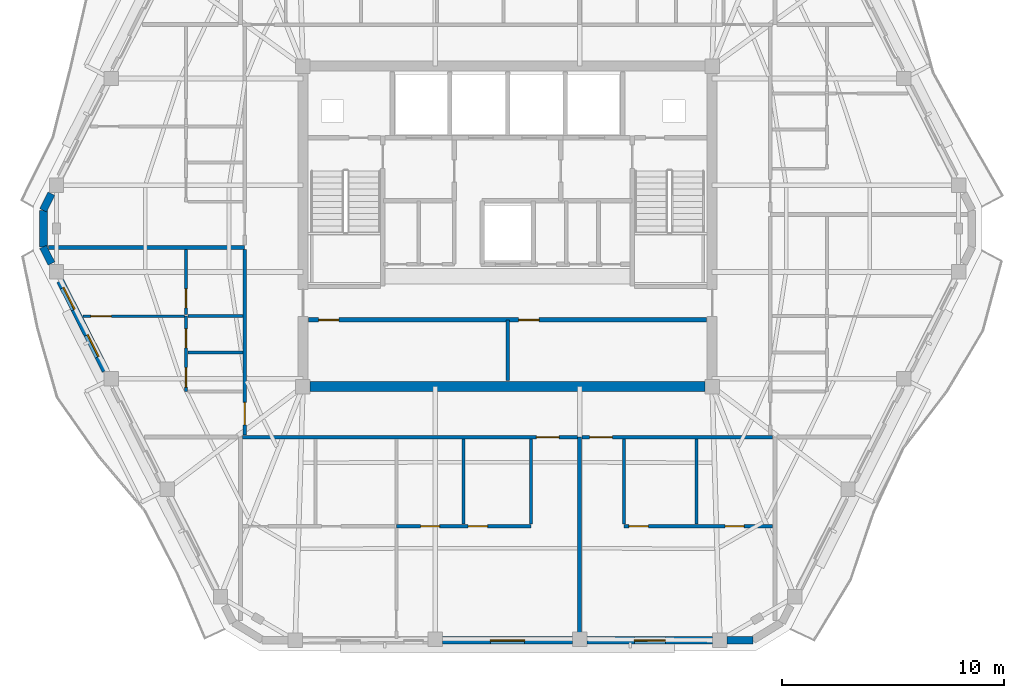
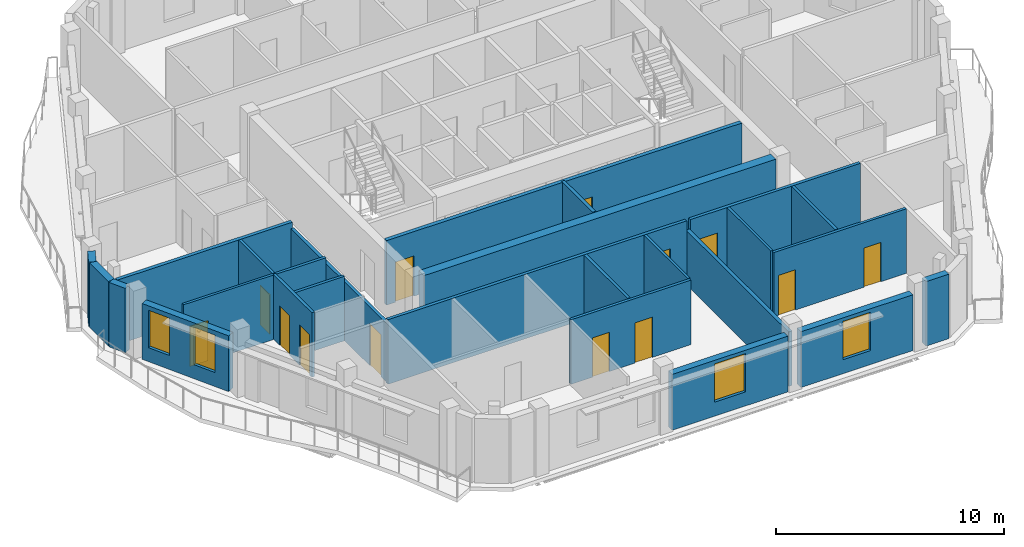
# One storey, part 4 of 11: 26 walls, 13 doors, 4 windows, 17 openings.
"""IFC4 building model written with IfcOpenShell, lengths in metres."""

from ifc_helpers import new_model, si_unit, direction, frame, frame_2d, origin, place, context, subcontext, project, spatial, rectangle, extrude, material, layer, layer_set, type_object, element, fill, save


model = new_model("IFC4")

# Units and contexts
model_context = context("Model", 3, precision=1e-05, world=origin(), true_north=direction((0.0, 1.0)))
body_context = subcontext(model_context, "Body", "Model", "MODEL_VIEW")
ifc_project = project(units=[si_unit("LENGTHUNIT", "METRE"), si_unit("AREAUNIT", "SQUARE_METRE"), si_unit("VOLUMEUNIT", "CUBIC_METRE"), si_unit("PLANEANGLEUNIT", "RADIAN"), si_unit("MASSUNIT", "GRAM", prefix="KILO")], contexts=[model_context])

# Site, building, storey
site_placement = place(None, origin())
site = spatial("IfcSite", under=ifc_project, at=site_placement, CompositionType="ELEMENT")
building_placement = place(site_placement, origin())
building = spatial("IfcBuilding", under=site, at=building_placement, Name="Cinnabar Lancet Tower", CompositionType="ELEMENT")
storey_placement = place(building_placement, frame((0.0, 0.0, 259.85009765625)))
storey = spatial("IfcBuildingStorey", under=building, at=storey_placement, Name="L69", CompositionType="ELEMENT", Elevation=259.85009765625)

# Wall
ifc_material_1 = material(Name="Acoustic twin-stud gypsum partition", Category="gypsum")
ifc_layer_1 = layer(ifc_material_1, 0.159912109375)
ifc_layer_set_1 = layer_set([ifc_layer_1], Name="Acoustic twin-stud gypsum partition")
wall_type_1 = type_object("IfcWallType", Name="ARC-WL-CORR-160", PredefinedType="PARTITIONING", material=ifc_layer_set_1)
wall_1_placement = place(storey_placement, frame((32.39990234375, 18.949951171875, 0.0), z_axis=(0.0, 0.0, 1.0), x_axis=(0.0, 1.0, 0.0)))
element("IfcWall", 1, at=wall_1_placement, inside=storey, type_object=wall_type_1, Name="CW-SB-3240-L69", PredefinedType="PARTITIONING", context=body_context, shape_type="SweptSolid", body=[
    extrude(rectangle(XDim=2.72998046875, YDim=0.159912109375, at=frame_2d((1.364990234375, 0.0))), origin(), (0.0, 0.0, 1.0), 3.449951171875),
])

# Wall, opening, door
wall_2_placement = place(storey_placement, frame((20.445068359375, 16.39990234375, 0.0), z_axis=(0.0, 0.0, 1.0), x_axis=(1.0, 0.0, 0.0)))
wall_2 = element("IfcWall", 2, at=wall_2_placement, inside=storey, type_object=wall_type_1, Name="L69 Unit S01 Corridor Wall", PredefinedType="PARTITIONING", context=body_context, shape_type="SweptSolid", body=[
    extrude(rectangle(XDim=15.114013671875, YDim=0.159912109375, at=frame_2d((7.55712890625, 0.0))), origin(), (0.0, 0.0, 1.0), 3.449951171875),
])
opening_1_placement = place(wall_2_placement, frame((13.259033203125, 0.0, 0.0)))
opening_1 = element("IfcOpeningElement", 3, at=opening_1_placement, cuts=wall_2, Name="Opening UD-01", PredefinedType="OPENING", context=body_context, shape_type="SweptSolid", body=[
    extrude(rectangle(XDim=1.02001953125, YDim=2.25, at=frame_2d((0.510009765625, 1.125))), frame((0.0, 0.08984375, 0.0), z_axis=(0.0, -1.0, 0.0), x_axis=(1.0, 0.0, 0.0)), (0.0, 0.0, 1.0), 0.179931640625),
])
ifc_material_2 = material(Name="Solid timber fire-rated apartment entrance door", Category="wood")
door_type_1 = type_object("IfcDoorType", Name="ARC-DR-UNIT", OperationType="NOTDEFINED", PredefinedType="DOOR", material=ifc_material_2)
door_1_placement = place(opening_1_placement, origin())
door_1 = element("IfcDoor", 4, at=door_1_placement, inside=storey, type_object=door_type_1, Name="DR-L69-S01-ENT", OperationType="SINGLE_SWING_RIGHT", OverallHeight=2.25, OverallWidth=1.02001953125, PredefinedType="DOOR", context=body_context, shape_type="SweptSolid", body=[
    extrude(rectangle(XDim=1.02001953125, YDim=2.25, at=frame_2d((0.510009765625, 1.125))), frame((0.0, 0.02490234375, 0.0), z_axis=(0.0, -1.0, 0.0), x_axis=(1.0, 0.0, 0.0)), (0.0, 0.0, 1.0), 0.050048828125),
])
fill(opening_1, door_1)

wall_3_placement = place(storey_placement, frame((35.7490234375, 16.39990234375, 0.0), z_axis=(0.0, 0.0, 1.0), x_axis=(1.0, 0.0, 0.0)))
wall_3 = element("IfcWall", 5, at=wall_3_placement, inside=storey, type_object=wall_type_1, Name="L69 Unit S02 Corridor Wall", PredefinedType="PARTITIONING", context=body_context, shape_type="SweptSolid", body=[
    extrude(rectangle(XDim=8.60595703125, YDim=0.159912109375, at=frame_2d((4.302978515625, 0.0))), origin(), (0.0, 0.0, 1.0), 3.449951171875),
])
opening_2_placement = place(wall_3_placement, frame((0.35498046875, 0.0, 0.0)))
opening_2 = element("IfcOpeningElement", 6, at=opening_2_placement, cuts=wall_3, Name="Opening UD-01", PredefinedType="OPENING", context=body_context, shape_type="SweptSolid", body=[
    extrude(rectangle(XDim=1.02001953125, YDim=2.25, at=frame_2d((0.510009765625, 1.125))), frame((0.0, 0.08984375, 0.0), z_axis=(0.0, -1.0, 0.0), x_axis=(1.0, 0.0, 0.0)), (0.0, 0.0, 1.0), 0.179931640625),
])
door_2_placement = place(opening_2_placement, origin())
door_2 = element("IfcDoor", 7, at=door_2_placement, inside=storey, type_object=door_type_1, Name="DR-L69-S02-ENT", OperationType="SINGLE_SWING_LEFT", OverallHeight=2.25, OverallWidth=1.02001953125, PredefinedType="DOOR", context=body_context, shape_type="SweptSolid", body=[
    extrude(rectangle(XDim=1.02001953125, YDim=2.25, at=frame_2d((0.510009765625, 1.125))), frame((0.0, 0.02490234375, 0.0), z_axis=(0.0, -1.0, 0.0), x_axis=(1.0, 0.0, 0.0)), (0.0, 0.0, 1.0), 0.050048828125),
])
fill(opening_2, door_2)

wall_4_placement = place(storey_placement, frame((20.550048828125, 16.4951171875, 0.0), z_axis=(0.0, 0.0, 1.0), x_axis=(0.0, 1.0, 0.0)))
wall_4 = element("IfcWall", 8, at=wall_4_placement, inside=storey, type_object=wall_type_1, Name="UW-L69-W01-COR", PredefinedType="PARTITIONING", context=body_context, shape_type="SweptSolid", body=[
    extrude(rectangle(XDim=8.365966796875, YDim=0.159912109375, at=frame_2d((4.18310546875, 0.0))), origin(), (0.0, 0.0, 1.0), 3.136962890625),
])
opening_3_placement = place(wall_4_placement, frame((0.449951171875, 0.0, 0.0)))
opening_3 = element("IfcOpeningElement", 9, at=opening_3_placement, cuts=wall_4, Name="Opening UD-01", PredefinedType="OPENING", context=body_context, shape_type="SweptSolid", body=[
    extrude(rectangle(XDim=1.02001953125, YDim=2.25, at=frame_2d((0.510009765625, 1.125))), frame((0.0, 0.08984375, 0.0), z_axis=(0.0, -1.0, 0.0), x_axis=(1.0, 0.0, 0.0)), (0.0, 0.0, 1.0), 0.179931640625),
])
door_3_placement = place(opening_3_placement, origin())
door_3 = element("IfcDoor", 10, at=door_3_placement, inside=storey, type_object=door_type_1, Name="DR-L69-W01-ENT", OperationType="SINGLE_SWING_RIGHT", OverallHeight=2.25, OverallWidth=1.02001953125, PredefinedType="DOOR", context=body_context, shape_type="SweptSolid", body=[
    extrude(rectangle(XDim=1.02001953125, YDim=2.25, at=frame_2d((0.510009765625, 1.125))), frame((0.0, 0.02490234375, 0.0), z_axis=(0.0, -1.0, 0.0), x_axis=(1.0, 0.0, 0.0)), (0.0, 0.0, 1.0), 0.050048828125),
])
fill(opening_3, door_3)

# Walls
ifc_material_3 = material(Name="Fire-rated twin-frame acoustic drywall", Category="gypsum")
ifc_layer_2 = layer(ifc_material_3, 0.179931640625)
ifc_layer_set_2 = layer_set([ifc_layer_2], Name="Fire-rated twin-frame acoustic drywall")
wall_type_2 = type_object("IfcWallType", Name="ARC-WL-PARTY-180", PredefinedType="PARTITIONING", material=ifc_layer_set_2)
wall_5_placement = place(storey_placement, frame((35.654052734375, 7.405029296875, 0.0), z_axis=(0.0, 0.0, 1.0), x_axis=(0.0, 1.0, 0.0)))
element("IfcWall", 11, at=wall_5_placement, inside=storey, type_object=wall_type_2, Name="PW-L69-SPTY-357", PredefinedType="PARTITIONING", context=body_context, shape_type="SweptSolid", body=[
    extrude(rectangle(XDim=8.994873046875, YDim=0.179931640625, at=frame_2d((4.49755859375, 0.0))), origin(), (0.0, 0.0, 1.0), 2.906982421875),
])
wall_6_placement = place(storey_placement, frame((11.70703125, 24.9560546875, 0.0), z_axis=(0.0, 0.0, 1.0), x_axis=(1.0, 0.0, 0.0)))
element("IfcWall", 12, at=wall_6_placement, inside=storey, type_object=wall_type_2, Name="PW-L69-WPTY-1", PredefinedType="PARTITIONING", context=body_context, shape_type="SweptSolid", body=[
    extrude(rectangle(XDim=8.843017578125, YDim=0.179931640625, at=frame_2d((4.42138671875, 0.0))), origin(), (0.0, 0.0, 1.0), 3.449951171875),
])

# Wall, openings, doors
ifc_material_4 = material(Name="Autoclaved aerated concrete blockwork", Category="masonry")
ifc_layer_3 = layer(ifc_material_4, 0.199951171875)
ifc_layer_set_3 = layer_set([ifc_layer_3], Name="Autoclaved aerated concrete blockwork")
wall_type_3 = type_object("IfcWallType", Name="ARC-WL-SHAFT-200", PredefinedType="PLUMBINGWALL", material=ifc_layer_set_3)
wall_7_placement = place(storey_placement, frame((23.419921875, 21.679931640625, 0.0), z_axis=(0.0, 0.0, 1.0), x_axis=(1.0, 0.0, 0.0)))
wall_7 = element("IfcWall", 13, at=wall_7_placement, inside=storey, type_object=wall_type_3, Name="CW-SBANDN-L69", PredefinedType="PLUMBINGWALL", context=body_context, shape_type="SweptSolid", body=[
    extrude(rectangle(XDim=17.9599609375, YDim=0.199951171875, at=frame_2d((8.97998046875, 0.0))), origin(), (0.0, 0.0, 1.0), 3.449951171875),
])
opening_4_placement = place(wall_7_placement, frame((0.4599609375, 0.0, 0.0)))
opening_4 = element("IfcOpeningElement", 14, at=opening_4_placement, cuts=wall_7, Name="Opening RD-01", PredefinedType="OPENING", context=body_context, shape_type="SweptSolid", body=[
    extrude(rectangle(XDim=0.919921875, YDim=2.14990234375, at=frame_2d((0.4599609375, 1.074951171875))), frame((0.0, 0.10986328125, 0.0), z_axis=(0.0, -1.0, 0.0), x_axis=(1.0, 0.0, 0.0)), (0.0, 0.0, 1.0), 0.219970703125),
])
opening_5_placement = place(wall_7_placement, frame((9.47998046875, 0.0, 0.0)))
opening_5 = element("IfcOpeningElement", 15, at=opening_5_placement, cuts=wall_7, Name="Opening RD-01", PredefinedType="OPENING", context=body_context, shape_type="SweptSolid", body=[
    extrude(rectangle(XDim=0.919921875, YDim=2.14990234375, at=frame_2d((0.4599609375, 1.074951171875))), frame((0.0, 0.10986328125, 0.0), z_axis=(0.0, -1.0, 0.0), x_axis=(1.0, 0.0, 0.0)), (0.0, 0.0, 1.0), 0.219970703125),
])
ifc_material_5 = material(Name="Engineered timber bedroom door", Category="wood")
door_type_2 = type_object("IfcDoorType", Name="ARC-DR-ROOM", OperationType="NOTDEFINED", PredefinedType="DOOR", material=ifc_material_5)
door_4_placement = place(opening_4_placement, origin())
door_4 = element("IfcDoor", 16, at=door_4_placement, inside=storey, type_object=door_type_2, Name="DR-L69-HREC1", OperationType="SINGLE_SWING_LEFT", OverallHeight=2.14990234375, OverallWidth=0.919921875, PredefinedType="DOOR", context=body_context, shape_type="SweptSolid", body=[
    extrude(rectangle(XDim=0.919921875, YDim=2.14990234375, at=frame_2d((0.4599609375, 1.074951171875))), frame((0.0, 0.02490234375, 0.0), z_axis=(0.0, -1.0, 0.0), x_axis=(1.0, 0.0, 0.0)), (0.0, 0.0, 1.0), 0.050048828125),
])
fill(opening_4, door_4)
door_5_placement = place(opening_5_placement, origin())
door_5 = element("IfcDoor", 17, at=door_5_placement, inside=storey, type_object=door_type_2, Name="DR-L69-HREC2", OperationType="SINGLE_SWING_RIGHT", OverallHeight=2.14990234375, OverallWidth=0.919921875, PredefinedType="DOOR", context=body_context, shape_type="SweptSolid", body=[
    extrude(rectangle(XDim=0.919921875, YDim=2.14990234375, at=frame_2d((0.4599609375, 1.074951171875))), frame((0.0, 0.02490234375, 0.0), z_axis=(0.0, -1.0, 0.0), x_axis=(1.0, 0.0, 0.0)), (0.0, 0.0, 1.0), 0.050048828125),
])
fill(opening_5, door_5)

# Walls
ifc_material_6 = material(Name="Gypsum plasterboard stud partition", Category="gypsum")
ifc_layer_4 = layer(ifc_material_6, 0.125)
ifc_layer_set_4 = layer_set([ifc_layer_4], Name="Gypsum plasterboard stud partition")
wall_type_4 = type_object("IfcWallType", Name="ARC-WL-UNIT-125", PredefinedType="PARTITIONING", material=ifc_layer_set_4)
for number, where, z_axis, x_axis, name in (
    (18, (33.4541015625, 12.486083984375, 0.0), (0.0, 0.0, 1.0), (0.0, 1.0, 0.0), "UW-L69-S01-FOYW"),
    (19, (37.654052734375, 12.486083984375, 0.0), (0.0, 0.0, 1.0), (0.0, 1.0, 0.0), "UW-L69-S02-FOYE"),
):
    element("IfcWall", number, at=place(storey_placement, frame(where, z_axis=z_axis, x_axis=x_axis)), inside=storey, type_object=wall_type_4, Name=name, PredefinedType="PARTITIONING", context=body_context, shape_type="SweptSolid", body=[
        extrude(rectangle(XDim=3.828857421875, YDim=0.125, at=frame_2d((1.91455078125, 0.0))), origin(), (0.0, 0.0, 1.0), 3.449951171875),
    ])

# Wall, opening, door
wall_8_placement = place(storey_placement, frame((13.261962890625, 21.85009765625, 0.0), z_axis=(0.0, 0.0, 1.0), x_axis=(1.0, 0.0, 0.0)))
wall_8 = element("IfcWall", 20, at=wall_8_placement, inside=storey, type_object=wall_type_4, Name="UW-L69-W01-MBN", PredefinedType="PARTITIONING", context=body_context, shape_type="SweptSolid", body=[
    extrude(rectangle(XDim=4.56298828125, YDim=0.125, at=frame_2d((2.281494140625, 0.0))), origin(), (0.0, 0.0, 1.0), 3.449951171875),
])
opening_6_placement = place(wall_8_placement, frame((0.35009765625, 0.0, 0.0)))
opening_6 = element("IfcOpeningElement", 21, at=opening_6_placement, cuts=wall_8, Name="Opening RD-01", PredefinedType="OPENING", context=body_context, shape_type="SweptSolid", body=[
    extrude(rectangle(XDim=0.919921875, YDim=2.14990234375, at=frame_2d((0.4599609375, 1.074951171875))), frame((0.0, 0.072509765625, 0.0), z_axis=(0.0, -1.0, 0.0), x_axis=(1.0, 0.0, 0.0)), (0.0, 0.0, 1.0), 0.14501953125),
])
door_6_placement = place(opening_6_placement, origin())
door_6 = element("IfcDoor", 22, at=door_6_placement, inside=storey, type_object=door_type_2, Name="DR-L69-W01-MBD", OperationType="SINGLE_SWING_RIGHT", OverallHeight=2.14990234375, OverallWidth=0.919921875, PredefinedType="DOOR", context=body_context, shape_type="SweptSolid", body=[
    extrude(rectangle(XDim=0.919921875, YDim=2.14990234375, at=frame_2d((0.4599609375, 1.074951171875))), frame((0.0, 0.02490234375, 0.0), z_axis=(0.0, -1.0, 0.0), x_axis=(1.0, 0.0, 0.0)), (0.0, 0.0, 1.0), 0.050048828125),
])
fill(opening_6, door_6)

# Wall, openings, doors
ifc_material_7 = material(Name="Moisture-resistant cement-board plumbing wall", Category="masonry")
ifc_layer_5 = layer(ifc_material_7, 0.139892578125)
ifc_layer_set_5 = layer_set([ifc_layer_5], Name="Moisture-resistant cement-board plumbing wall")
wall_type_5 = type_object("IfcWallType", Name="ARC-WL-WET-140", PredefinedType="PLUMBINGWALL", material=ifc_layer_set_5)
wall_9_placement = place(storey_placement, frame((27.389892578125, 12.381103515625, 0.0), z_axis=(0.0, 0.0, 1.0), x_axis=(1.0, 0.0, 0.0)))
wall_9 = element("IfcWall", 23, at=wall_9_placement, inside=storey, type_object=wall_type_5, Name="UW-L69-S01-SPL", PredefinedType="PLUMBINGWALL", context=body_context, shape_type="SweptSolid", body=[
    extrude(rectangle(XDim=6.064208984375, YDim=0.139892578125, at=frame_2d((3.0322265625, 0.0))), origin(), (0.0, 0.0, 1.0), 3.449951171875),
])
opening_7_placement = place(wall_9_placement, frame((1.091064453125, 0.0, 0.0)))
opening_7 = element("IfcOpeningElement", 24, at=opening_7_placement, cuts=wall_9, Name="Opening BD-01", PredefinedType="OPENING", context=body_context, shape_type="SweptSolid", body=[
    extrude(rectangle(XDim=0.860107421875, YDim=2.10009765625, at=frame_2d((0.43017578125, 1.050048828125))), frame((0.0, 0.079833984375, 0.0), z_axis=(0.0, -1.0, 0.0), x_axis=(1.0, 0.0, 0.0)), (0.0, 0.0, 1.0), 0.159912109375),
])
opening_8_placement = place(wall_9_placement, frame((3.23193359375, 0.0, 0.0)))
opening_8 = element("IfcOpeningElement", 25, at=opening_8_placement, cuts=wall_9, Name="Opening RD-02", PredefinedType="OPENING", context=body_context, shape_type="SweptSolid", body=[
    extrude(rectangle(XDim=0.8798828125, YDim=2.14990234375, at=frame_2d((0.43994140625, 1.074951171875))), frame((0.0, 0.079833984375, 0.0), z_axis=(0.0, -1.0, 0.0), x_axis=(1.0, 0.0, 0.0)), (0.0, 0.0, 1.0), 0.159912109375),
])
ifc_material_8 = material(Name="Moisture-resistant timber bathroom door", Category="wood")
door_type_3 = type_object("IfcDoorType", Name="ARC-DR-BATH", OperationType="NOTDEFINED", PredefinedType="DOOR", material=ifc_material_8)
door_7_placement = place(opening_7_placement, origin())
door_7 = element("IfcDoor", 26, at=door_7_placement, inside=storey, type_object=door_type_3, Name="DR-L69-S01-BTH", OperationType="SINGLE_SWING_LEFT", OverallHeight=2.10009765625, OverallWidth=0.860107421875, PredefinedType="DOOR", context=body_context, shape_type="SweptSolid", body=[
    extrude(rectangle(XDim=0.860107421875, YDim=2.10009765625, at=frame_2d((0.43017578125, 1.050048828125))), frame((0.0, 0.02490234375, 0.0), z_axis=(0.0, -1.0, 0.0), x_axis=(1.0, 0.0, 0.0)), (0.0, 0.0, 1.0), 0.050048828125),
])
fill(opening_7, door_7)
ifc_material_9 = material(Name="Engineered timber study door", Category="wood")
door_type_4 = type_object("IfcDoorType", Name="ARC-DR-STUDY", OperationType="NOTDEFINED", PredefinedType="DOOR", material=ifc_material_9)
door_8_placement = place(opening_8_placement, origin())
door_8 = element("IfcDoor", 27, at=door_8_placement, inside=storey, type_object=door_type_4, Name="DR-L69-S01-KIT", OperationType="SINGLE_SWING_RIGHT", OverallHeight=2.14990234375, OverallWidth=0.8798828125, PredefinedType="DOOR", context=body_context, shape_type="SweptSolid", body=[
    extrude(rectangle(XDim=0.8798828125, YDim=2.14990234375, at=frame_2d((0.43994140625, 1.074951171875))), frame((0.0, 0.02490234375, 0.0), z_axis=(0.0, -1.0, 0.0), x_axis=(1.0, 0.0, 0.0)), (0.0, 0.0, 1.0), 0.050048828125),
])
fill(opening_8, door_8)

# Wall
wall_10_placement = place(storey_placement, frame((30.422119140625, 12.486083984375, 0.0), z_axis=(0.0, 0.0, 1.0), x_axis=(0.0, 1.0, 0.0)))
element("IfcWall", 28, at=wall_10_placement, inside=storey, type_object=wall_type_5, Name="UW-L69-S01-KBD", PredefinedType="PLUMBINGWALL", context=body_context, shape_type="SweptSolid", body=[
    extrude(rectangle(XDim=3.828857421875, YDim=0.139892578125, at=frame_2d((1.91455078125, 0.0))), origin(), (0.0, 0.0, 1.0), 3.449951171875),
])

# Wall, openings, doors
wall_11_placement = place(storey_placement, frame((37.654052734375, 12.381103515625, 0.0), z_axis=(0.0, 0.0, 1.0), x_axis=(1.0, 0.0, 0.0)))
wall_11 = element("IfcWall", 29, at=wall_11_placement, inside=storey, type_object=wall_type_5, Name="UW-L69-S02-SPL", PredefinedType="PLUMBINGWALL", context=body_context, shape_type="SweptSolid", body=[
    extrude(rectangle(XDim=6.700927734375, YDim=0.139892578125, at=frame_2d((3.3505859375, 0.0))), origin(), (0.0, 0.0, 1.0), 3.449951171875),
])
opening_9_placement = place(wall_11_placement, frame((4.555908203125, 0.0, 0.0)))
opening_9 = element("IfcOpeningElement", 30, at=opening_9_placement, cuts=wall_11, Name="Opening BD-01", PredefinedType="OPENING", context=body_context, shape_type="SweptSolid", body=[
    extrude(rectangle(XDim=0.860107421875, YDim=2.10009765625, at=frame_2d((0.43017578125, 1.050048828125))), frame((0.0, 0.079833984375, 0.0), z_axis=(0.0, -1.0, 0.0), x_axis=(1.0, 0.0, 0.0)), (0.0, 0.0, 1.0), 0.159912109375),
])
opening_10_placement = place(wall_11_placement, frame((0.219970703125, 0.0, 0.0)))
opening_10 = element("IfcOpeningElement", 31, at=opening_10_placement, cuts=wall_11, Name="Opening RD-02", PredefinedType="OPENING", context=body_context, shape_type="SweptSolid", body=[
    extrude(rectangle(XDim=0.8798828125, YDim=2.14990234375, at=frame_2d((0.43994140625, 1.074951171875))), frame((0.0, 0.079833984375, 0.0), z_axis=(0.0, -1.0, 0.0), x_axis=(1.0, 0.0, 0.0)), (0.0, 0.0, 1.0), 0.159912109375),
])
door_9_placement = place(opening_9_placement, origin())
door_9 = element("IfcDoor", 32, at=door_9_placement, inside=storey, type_object=door_type_3, Name="DR-L69-S02-BTH", OperationType="SINGLE_SWING_LEFT", OverallHeight=2.10009765625, OverallWidth=0.860107421875, PredefinedType="DOOR", context=body_context, shape_type="SweptSolid", body=[
    extrude(rectangle(XDim=0.860107421875, YDim=2.10009765625, at=frame_2d((0.43017578125, 1.050048828125))), frame((0.0, 0.02490234375, 0.0), z_axis=(0.0, -1.0, 0.0), x_axis=(1.0, 0.0, 0.0)), (0.0, 0.0, 1.0), 0.050048828125),
])
fill(opening_9, door_9)
door_10_placement = place(opening_10_placement, origin())
door_10 = element("IfcDoor", 33, at=door_10_placement, inside=storey, type_object=door_type_4, Name="DR-L69-S02-KIT", OperationType="SINGLE_SWING_RIGHT", OverallHeight=2.14990234375, OverallWidth=0.8798828125, PredefinedType="DOOR", context=body_context, shape_type="SweptSolid", body=[
    extrude(rectangle(XDim=0.8798828125, YDim=2.14990234375, at=frame_2d((0.43994140625, 1.074951171875))), frame((0.0, 0.02490234375, 0.0), z_axis=(0.0, -1.0, 0.0), x_axis=(1.0, 0.0, 0.0)), (0.0, 0.0, 1.0), 0.050048828125),
])
fill(opening_10, door_10)

# Wall
wall_12_placement = place(storey_placement, frame((40.916015625, 12.486083984375, 0.0), z_axis=(0.0, 0.0, 1.0), x_axis=(0.0, 1.0, 0.0)))
element("IfcWall", 34, at=wall_12_placement, inside=storey, type_object=wall_type_5, Name="UW-L69-S02-KDV", PredefinedType="PLUMBINGWALL", context=body_context, shape_type="SweptSolid", body=[
    extrude(rectangle(XDim=3.828857421875, YDim=0.139892578125, at=frame_2d((1.91455078125, 0.0))), origin(), (0.0, 0.0, 1.0), 3.449951171875),
])

# Wall, openings, doors
wall_13_placement = place(storey_placement, frame((17.89990234375, 18.449951171875, 0.0), z_axis=(0.0, 0.0, 1.0), x_axis=(0.0, 1.0, 0.0)))
wall_13 = element("IfcWall", 35, at=wall_13_placement, inside=storey, type_object=wall_type_5, Name="UW-L69-W01-SPL", PredefinedType="PLUMBINGWALL", context=body_context, shape_type="SweptSolid", body=[
    extrude(rectangle(XDim=3.400146484375, YDim=0.139892578125, at=frame_2d((1.7001953125, 0.0))), origin(), (0.0, 0.0, 1.0), 3.449951171875),
])
opening_11_placement = place(wall_13_placement, frame((0.199951171875, 0.0, 0.0)))
opening_11 = element("IfcOpeningElement", 36, at=opening_11_placement, cuts=wall_13, Name="Opening RD-02", PredefinedType="OPENING", context=body_context, shape_type="SweptSolid", body=[
    extrude(rectangle(XDim=0.8798828125, YDim=2.14990234375, at=frame_2d((0.43994140625, 1.074951171875))), frame((0.0, 0.079833984375, 0.0), z_axis=(0.0, -1.0, 0.0), x_axis=(1.0, 0.0, 0.0)), (0.0, 0.0, 1.0), 0.159912109375),
])
opening_12_placement = place(wall_13_placement, frame((1.968017578125, 0.0, 0.0)))
opening_12 = element("IfcOpeningElement", 37, at=opening_12_placement, cuts=wall_13, Name="Opening BD-01", PredefinedType="OPENING", context=body_context, shape_type="SweptSolid", body=[
    extrude(rectangle(XDim=0.860107421875, YDim=2.10009765625, at=frame_2d((0.43017578125, 1.050048828125))), frame((0.0, 0.079833984375, 0.0), z_axis=(0.0, -1.0, 0.0), x_axis=(1.0, 0.0, 0.0)), (0.0, 0.0, 1.0), 0.159912109375),
])
door_11_placement = place(opening_12_placement, origin())
door_11 = element("IfcDoor", 38, at=door_11_placement, inside=storey, type_object=door_type_3, Name="DR-L69-W01-BTH", OperationType="SINGLE_SWING_RIGHT", OverallHeight=2.10009765625, OverallWidth=0.860107421875, PredefinedType="DOOR", context=body_context, shape_type="SweptSolid", body=[
    extrude(rectangle(XDim=0.860107421875, YDim=2.10009765625, at=frame_2d((0.43017578125, 1.050048828125))), frame((0.0, 0.02490234375, 0.0), z_axis=(0.0, -1.0, 0.0), x_axis=(1.0, 0.0, 0.0)), (0.0, 0.0, 1.0), 0.050048828125),
])
fill(opening_12, door_11)
door_12_placement = place(opening_11_placement, origin())
door_12 = element("IfcDoor", 39, at=door_12_placement, inside=storey, type_object=door_type_4, Name="DR-L69-W01-KIT", OperationType="SINGLE_SWING_LEFT", OverallHeight=2.14990234375, OverallWidth=0.8798828125, PredefinedType="DOOR", context=body_context, shape_type="SweptSolid", body=[
    extrude(rectangle(XDim=0.8798828125, YDim=2.14990234375, at=frame_2d((0.43994140625, 1.074951171875))), frame((0.0, 0.02490234375, 0.0), z_axis=(0.0, -1.0, 0.0), x_axis=(1.0, 0.0, 0.0)), (0.0, 0.0, 1.0), 0.050048828125),
])
fill(opening_11, door_12)

# Wall, opening, door
wall_14_placement = place(storey_placement, frame((17.89990234375, 21.919921875, 0.0), z_axis=(0.0, 0.0, 1.0), x_axis=(0.0, 1.0, 0.0)))
wall_14 = element("IfcWall", 40, at=wall_14_placement, inside=storey, type_object=wall_type_5, Name="UW-L69-W01-SPM", PredefinedType="PLUMBINGWALL", context=body_context, shape_type="SweptSolid", body=[
    extrude(rectangle(XDim=2.941162109375, YDim=0.139892578125, at=frame_2d((1.470703125, 0.0))), origin(), (0.0, 0.0, 1.0), 3.449951171875),
])
opening_13_placement = place(wall_14_placement, frame((0.300048828125, 0.0, 0.0)))
opening_13 = element("IfcOpeningElement", 41, at=opening_13_placement, cuts=wall_14, Name="Opening BD-01", PredefinedType="OPENING", context=body_context, shape_type="SweptSolid", body=[
    extrude(rectangle(XDim=0.860107421875, YDim=2.10009765625, at=frame_2d((0.43017578125, 1.050048828125))), frame((0.0, 0.079833984375, 0.0), z_axis=(0.0, -1.0, 0.0), x_axis=(1.0, 0.0, 0.0)), (0.0, 0.0, 1.0), 0.159912109375),
])
door_13_placement = place(opening_13_placement, origin())
door_13 = element("IfcDoor", 42, at=door_13_placement, inside=storey, type_object=door_type_3, Name="DR-L69-W01-ENS", OperationType="SINGLE_SWING_RIGHT", OverallHeight=2.10009765625, OverallWidth=0.860107421875, PredefinedType="DOOR", context=body_context, shape_type="SweptSolid", body=[
    extrude(rectangle(XDim=0.860107421875, YDim=2.10009765625, at=frame_2d((0.43017578125, 1.050048828125))), frame((0.0, 0.02490234375, 0.0), z_axis=(0.0, -1.0, 0.0), x_axis=(1.0, 0.0, 0.0)), (0.0, 0.0, 1.0), 0.050048828125),
])
fill(opening_13, door_13)

# Walls
for number, where, z_axis, x_axis, name in (
    (43, (17.985107421875, 21.85009765625, 0.0), (0.0, 0.0, 1.0), (1.0, 0.0, 0.0), "UW-L69-W01-ENSN"),
    (44, (17.985107421875, 20.218017578125, 0.0), (0.0, 0.0, 1.0), (1.0, 0.0, 0.0), "UW-L69-W01-KDV"),
):
    element("IfcWall", number, at=place(storey_placement, frame(where, z_axis=z_axis, x_axis=x_axis)), inside=storey, type_object=wall_type_5, Name=name, PredefinedType="PLUMBINGWALL", context=body_context, shape_type="SweptSolid", body=[
        extrude(rectangle(XDim=2.47998046875, YDim=0.139892578125, at=frame_2d((1.239990234375, 0.0))), origin(), (0.0, 0.0, 1.0), 3.449951171875),
    ])
ifc_material_10 = material(Name="Cinnabar red clay brick", Category="masonry")
ifc_layer_6 = layer(ifc_material_10, 0.340087890625)
ifc_layer_set_6 = layer_set([ifc_layer_6], Name="Cinnabar red clay brick")
wall_type_6 = type_object("IfcWallType", Name="ENV-WL-BRK-RED-340", PredefinedType="STANDARD", material=ifc_layer_set_6)
wall_15_placement = place(storey_placement, frame((11.47705078125, 26.6201171875, 0.0), z_axis=(0.0, 0.0, 1.0), x_axis=(0.0, -1.0, 0.0)))
element("IfcWall", 45, at=wall_15_placement, inside=storey, type_object=wall_type_6, Name="L69 Chamfered Corner Brick Pier 6.1", PredefinedType="STANDARD", context=body_context, shape_type="SweptSolid", body=[
    extrude(rectangle(XDim=1.64013671875, YDim=0.340087890625, at=frame_2d((0.820068359375, 0.0))), origin(), (0.0, 0.0, 1.0), 3.449951171875),
])

# Wall, opening, window
wall_16_placement = place(storey_placement, frame((29.47509765625, 7.22998046875, 0.0), z_axis=(0.0, 0.0, 1.0), x_axis=(1.0, 0.0, 0.0)))
wall_16 = element("IfcWall", 46, at=wall_16_placement, inside=storey, type_object=wall_type_6, Name="L69 Face 1 Masonry Bay Wall 3", PredefinedType="STANDARD", context=body_context, shape_type="SweptSolid", body=[
    extrude(rectangle(XDim=5.849853515625, YDim=0.340087890625, at=frame_2d((2.9248046875, 0.0))), origin(), (0.0, 0.0, 1.0), 2.98291015625),
])
opening_14_placement = place(wall_16_placement, frame((2.14990234375, 0.0, 0.75)))
opening_14 = element("IfcOpeningElement", 47, at=opening_14_placement, cuts=wall_16, Name="Opening WN-01", PredefinedType="OPENING", context=body_context, shape_type="SweptSolid", body=[
    extrude(rectangle(XDim=1.550048828125, YDim=2.050048828125, at=frame_2d((0.77490234375, 1.02490234375))), frame((0.0, 0.179931640625, 0.0), z_axis=(0.0, -1.0, 0.0), x_axis=(1.0, 0.0, 0.0)), (0.0, 0.0, 1.0), 0.360107421875),
])
ifc_material_11 = material(Name="Thermally broken bronze-anodized aluminium low-E double glazing", Category="aluminium")
window_type_1 = type_object("IfcWindowType", Name="ENV-WN-LANCET-1550", PartitioningType="SINGLE_PANEL", PredefinedType="WINDOW", material=ifc_material_11)
window_1_placement = place(opening_14_placement, origin())
window_1 = element("IfcWindow", 48, at=window_1_placement, inside=storey, type_object=window_type_1, Name="L69 Face 1 Gothic Lancet Window 3", OverallHeight=2.050048828125, OverallWidth=1.550048828125, PartitioningType="SINGLE_PANEL", PredefinedType="WINDOW", context=body_context, shape_type="SweptSolid", body=[
    extrude(rectangle(XDim=1.550048828125, YDim=2.050048828125, at=frame_2d((0.77490234375, 1.02490234375))), frame((0.0, 0.030029296875, 0.0), z_axis=(0.0, -1.0, 0.0), x_axis=(1.0, 0.0, 0.0)), (0.0, 0.0, 1.0), 0.06005859375),
])
fill(opening_14, window_1)

wall_17_placement = place(storey_placement, frame((35.98291015625, 7.22998046875, 0.0), z_axis=(0.0, 0.0, 1.0), x_axis=(1.0, 0.0, 0.0)))
wall_17 = element("IfcWall", 49, at=wall_17_placement, inside=storey, type_object=wall_type_6, Name="L69 Face 1 Masonry Bay Wall 4", PredefinedType="STANDARD", context=body_context, shape_type="SweptSolid", body=[
    extrude(rectangle(XDim=5.66015625, YDim=0.340087890625, at=frame_2d((2.830078125, 0.0))), origin(), (0.0, 0.0, 1.0), 2.98291015625),
])
opening_15_placement = place(wall_17_placement, frame((2.1298828125, 0.0, 0.75)))
opening_15 = element("IfcOpeningElement", 50, at=opening_15_placement, cuts=wall_17, Name="Opening WN-02", PredefinedType="OPENING", context=body_context, shape_type="SweptSolid", body=[
    extrude(rectangle(XDim=1.39990234375, YDim=2.050048828125, at=frame_2d((0.699951171875, 1.02490234375))), frame((0.0, 0.179931640625, 0.0), z_axis=(0.0, -1.0, 0.0), x_axis=(1.0, 0.0, 0.0)), (0.0, 0.0, 1.0), 0.360107421875),
])
ifc_material_12 = material(Name="Thermally broken bronze-anodized aluminium low-E double glazing", Category="aluminium")
window_type_2 = type_object("IfcWindowType", Name="ENV-WN-LANCET-1400", PartitioningType="SINGLE_PANEL", PredefinedType="WINDOW", material=ifc_material_12)
window_2_placement = place(opening_15_placement, origin())
window_2 = element("IfcWindow", 51, at=window_2_placement, inside=storey, type_object=window_type_2, Name="L69 Face 1 Gothic Lancet Window 4", OverallHeight=2.050048828125, OverallWidth=1.39990234375, PartitioningType="SINGLE_PANEL", PredefinedType="WINDOW", context=body_context, shape_type="SweptSolid", body=[
    extrude(rectangle(XDim=1.39990234375, YDim=2.050048828125, at=frame_2d((0.699951171875, 1.02490234375))), frame((0.0, 0.030029296875, 0.0), z_axis=(0.0, -1.0, 0.0), x_axis=(1.0, 0.0, 0.0)), (0.0, 0.0, 1.0), 0.06005859375),
])
fill(opening_15, window_2)

# Walls
wall_18_placement = place(storey_placement, frame((42.301025390625, 7.22998046875, 0.0), z_axis=(0.0, 0.0, 1.0), x_axis=(1.0, 0.0, 0.0)))
element("IfcWall", 52, at=wall_18_placement, inside=storey, type_object=wall_type_6, Name="L69 Face 1 Masonry Bay Wall 5", PredefinedType="STANDARD", context=body_context, shape_type="SweptSolid", body=[
    extrude(rectangle(XDim=1.173095703125, YDim=0.340087890625, at=frame_2d((0.58642578125, 0.0))), origin(), (0.0, 0.0, 1.0), 3.449951171875),
])
wall_19_placement = place(storey_placement, frame((11.8349609375, 27.3759765625, 0.0), z_axis=(0.0, 0.0, 1.0), x_axis=(-0.45139691133, -0.892323275748, 0.0)))
element("IfcWall", 53, at=wall_19_placement, inside=storey, type_object=wall_type_6, Name="L69 Face 5 Masonry Bay Wall 5", PredefinedType="STANDARD", context=body_context, shape_type="SweptSolid", body=[
    extrude(rectangle(XDim=0.83935546875, YDim=0.340087890625, at=frame_2d((0.419677734375, 0.0))), origin(), (0.0, 0.0, 1.0), 3.449951171875),
])
wall_20_placement = place(storey_placement, frame((11.4560546875, 24.972900390625, 0.0), z_axis=(0.0, 0.0, 1.0), x_axis=(0.4515140893, -0.892263989615, 0.0)))
element("IfcWall", 54, at=wall_20_placement, inside=storey, type_object=wall_type_6, Name="L69 Face 6 Masonry Bay Wall 1", PredefinedType="STANDARD", context=body_context, shape_type="SweptSolid", body=[
    extrude(rectangle(XDim=0.839111328125, YDim=0.340087890625, at=frame_2d((0.41943359375, 0.0))), origin(), (0.0, 0.0, 1.0), 3.449951171875),
])

# Wall, openings, windows
wall_21_placement = place(storey_placement, frame((12.23193359375, 23.43896484375, 0.0), z_axis=(0.0, 0.0, 1.0), x_axis=(0.45147697324, -0.892282770558, 0.0)))
wall_21 = element("IfcWall", 55, at=wall_21_placement, inside=storey, type_object=wall_type_6, Name="L69 Face 6 Masonry Bay Wall 2", PredefinedType="STANDARD", context=body_context, shape_type="SweptSolid", body=[
    extrude(rectangle(XDim=4.530029296875, YDim=0.340087890625, at=frame_2d((2.26513671875, 0.0))), origin(), (0.0, 0.0, 1.0), 2.98291015625),
])
opening_16_placement = place(wall_21_placement, frame((0.3310546875, 0.0, 0.75)))
opening_16 = element("IfcOpeningElement", 56, at=opening_16_placement, cuts=wall_21, Name="Opening WN-04", PredefinedType="OPENING", context=body_context, shape_type="SweptSolid", body=[
    extrude(rectangle(XDim=1.10009765625, YDim=2.0, at=frame_2d((0.550048828125, 1.0))), frame((0.0, 0.179931640625, 0.0), z_axis=(0.0, -1.0, 0.0), x_axis=(1.0, 0.0, 0.0)), (0.0, 0.0, 1.0), 0.360107421875),
])
opening_17_placement = place(wall_21_placement, frame((2.716064453125, 0.0, 0.75)))
opening_17 = element("IfcOpeningElement", 57, at=opening_17_placement, cuts=wall_21, Name="Opening WN-04", PredefinedType="OPENING", context=body_context, shape_type="SweptSolid", body=[
    extrude(rectangle(XDim=1.10009765625, YDim=2.0, at=frame_2d((0.550048828125, 1.0))), frame((0.0, 0.179931640625, 0.0), z_axis=(0.0, -1.0, 0.0), x_axis=(1.0, 0.0, 0.0)), (0.0, 0.0, 1.0), 0.360107421875),
])
ifc_material_13 = material(Name="Thermally broken bronze-anodized aluminium tall lancet window", Category="aluminium")
window_type_3 = type_object("IfcWindowType", Name="ENV-WN-LANCET-1100", PartitioningType="SINGLE_PANEL", PredefinedType="WINDOW", material=ifc_material_13)
window_3_placement = place(opening_16_placement, origin())
window_3 = element("IfcWindow", 58, at=window_3_placement, inside=storey, type_object=window_type_3, Name="L69 Face 6 Gothic Lancet Window 2", OverallHeight=2.0, OverallWidth=1.10009765625, PartitioningType="SINGLE_PANEL", PredefinedType="WINDOW", context=body_context, shape_type="SweptSolid", body=[
    extrude(rectangle(XDim=1.10009765625, YDim=2.0, at=frame_2d((0.550048828125, 1.0))), frame((0.0, 0.030029296875, 0.0), z_axis=(0.0, -1.0, 0.0), x_axis=(1.0, 0.0, 0.0)), (0.0, 0.0, 1.0), 0.06005859375),
])
fill(opening_16, window_3)
window_4_placement = place(opening_17_placement, origin())
window_4 = element("IfcWindow", 59, at=window_4_placement, inside=storey, type_object=window_type_3, Name="L69 Split-Bay Gothic Lancet Window 256", OverallHeight=2.0, OverallWidth=1.10009765625, PartitioningType="SINGLE_PANEL", PredefinedType="WINDOW", context=body_context, shape_type="SweptSolid", body=[
    extrude(rectangle(XDim=1.10009765625, YDim=2.0, at=frame_2d((0.550048828125, 1.0))), frame((0.0, 0.030029296875, 0.0), z_axis=(0.0, -1.0, 0.0), x_axis=(1.0, 0.0, 0.0)), (0.0, 0.0, 1.0), 0.06005859375),
])
fill(opening_17, window_4)

# Wall
ifc_material_14 = material(Name="Concrete C50/60", Category="concrete")
ifc_layer_7 = layer(ifc_material_14, 0.449951171875)
ifc_layer_set_7 = layer_set([ifc_layer_7], Name="Concrete C50/60")
wall_type_7 = type_object("IfcWallType", Name="STR-WL-CORE-450", PredefinedType="SHEAR", material=ifc_layer_set_7)
wall_22_placement = place(storey_placement, frame((23.5, 18.675048828125, 0.0), z_axis=(0.0, 0.0, 1.0), x_axis=(1.0, 0.0, 0.0)))
element("IfcWall", 60, at=wall_22_placement, inside=storey, type_object=wall_type_7, Name="L69 Core Shear Wall S", PredefinedType="SHEAR", context=body_context, shape_type="SweptSolid", body=[
    extrude(rectangle(XDim=17.800048828125, YDim=0.449951171875, at=frame_2d((8.89990234375, 0.0))), origin(), (0.0, 0.0, 1.0), 3.449951171875),
])

save(model, "model.ifc")
